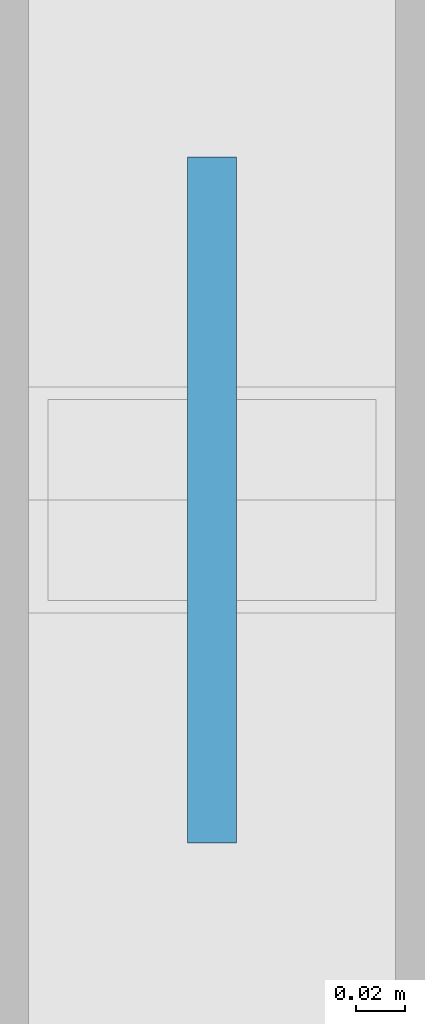
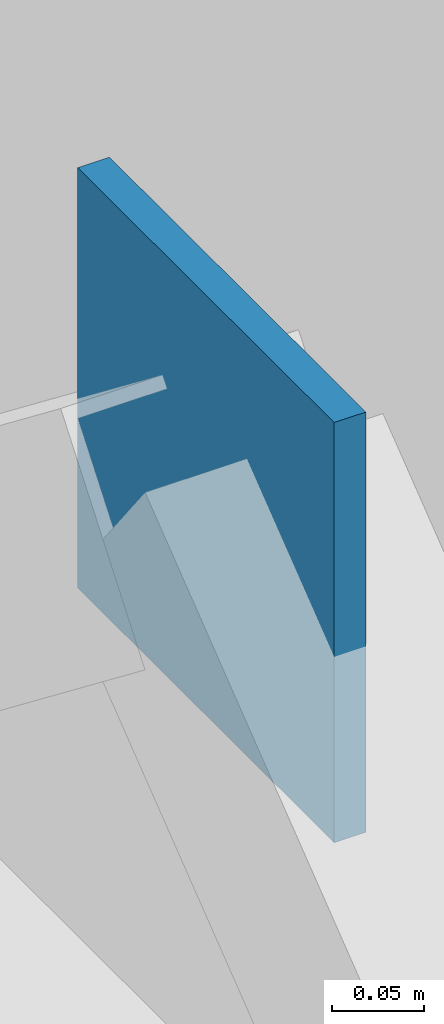
# One storey, part 89 of 102: 1 plate.
"""IFC4 building model written with IfcOpenShell, lengths in metres."""

from ifc_helpers import new_model, si_unit, direction, frame, origin, origin_2d, place, context, subcontext, project, spatial, rectangle, extrude, material, layer, layer_set, type_object, element, save


model = new_model("IFC4")

# Units and contexts
model_context = context("Model", 3, precision=1e-05, world=origin(), true_north=direction((0.0, 1.0)))
body_context = subcontext(model_context, "Body", "Model", "MODEL_VIEW")
ifc_project = project(units=[si_unit("LENGTHUNIT", "METRE"), si_unit("AREAUNIT", "SQUARE_METRE"), si_unit("VOLUMEUNIT", "CUBIC_METRE"), si_unit("PLANEANGLEUNIT", "RADIAN"), si_unit("MASSUNIT", "GRAM", prefix="KILO")], contexts=[model_context])

# Site, building, storey
site_placement = place(None, origin())
site = spatial("IfcSite", under=ifc_project, at=site_placement, CompositionType="ELEMENT")
building_placement = place(site_placement, origin())
building = spatial("IfcBuilding", under=site, at=building_placement, Name="Barlavento Convention Centre", CompositionType="ELEMENT")
storey_placement = place(building_placement, frame((0.0, 0.0, 22.800048828125)))
storey = spatial("IfcBuildingStorey", under=building, at=storey_placement, Name="L04", CompositionType="ELEMENT", Elevation=22.800048828125)

# Plate
ifc_material = material(Name="Steel S355", Category="steel")
ifc_layer = layer(ifc_material, 0.02001953125)
ifc_layer_set = layer_set([ifc_layer], Name="STR-PLT-CAP-280")
plate_type = type_object("IfcPlateType", Name="STR-PLT-CAP-280", PredefinedType="SHEET", material=ifc_layer_set)
plate_placement = place(storey_placement, frame((126.0, 85.5, 3.31982421875), z_axis=(0.0, 0.0, 1.0), x_axis=(1.0, 0.0, 0.0)))
element("IfcPlate", 1, at=plate_placement, inside=storey, type_object=plate_type, Name="Chevron brace gusset splice plate EC03", PredefinedType="SHEET", context=body_context, shape_type="SweptSolid", body=[
    extrude(rectangle(XDim=0.02001953125, YDim=0.280029296875, at=origin_2d()), origin(), (0.0, 0.0, 1.0), 0.280029296875),
])

save(model, "model.ifc")
